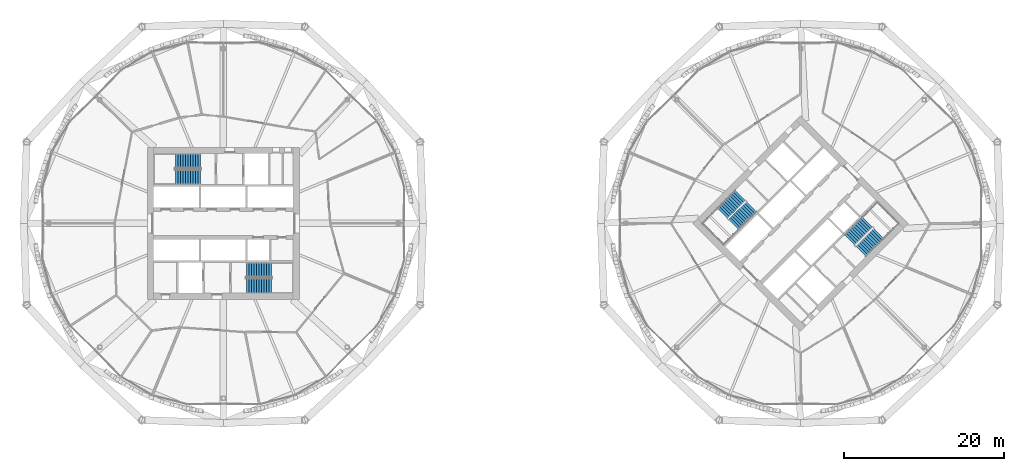
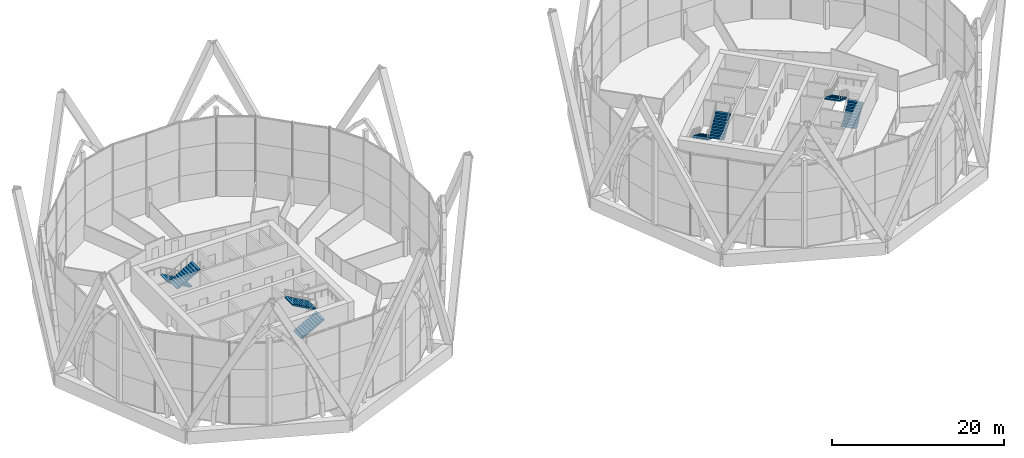
# One storey, part 32 of 37: 8 stair flights, 4 elements without a shape of their own.
"""IFC4 building model written with IfcOpenShell, lengths in metres."""

from ifc_helpers import new_model, si_unit, direction, frame, origin, place, context, subcontext, project, spatial, polyline, outline, extrude, material, type_object, element, aggregate, save


model = new_model("IFC4")

# Units and contexts
model_context = context("Model", 3, precision=1e-05, world=origin(), true_north=direction((0.0, 1.0)))
body_context = subcontext(model_context, "Body", "Model", "MODEL_VIEW")
ifc_project = project(units=[si_unit("LENGTHUNIT", "METRE"), si_unit("AREAUNIT", "SQUARE_METRE"), si_unit("VOLUMEUNIT", "CUBIC_METRE"), si_unit("PLANEANGLEUNIT", "RADIAN"), si_unit("MASSUNIT", "GRAM", prefix="KILO")], contexts=[model_context])

# Site, building, storey
site_placement = place(None, origin())
site = spatial("IfcSite", under=ifc_project, at=site_placement, CompositionType="ELEMENT")
building_placement = place(site_placement, origin())
building = spatial("IfcBuilding", under=site, at=building_placement, Name="Ogive Gate Towers", CompositionType="ELEMENT")
storey_placement = place(building_placement, frame((0.0, 0.0, 32.39990234375)))
storey = spatial("IfcBuildingStorey", under=building, at=storey_placement, Name="L06", CompositionType="ELEMENT", Elevation=32.39990234375)

# Stair, stair flights
ifc_material = material(Name="Concrete C40/50", Category="concrete")
stair_type = type_object("IfcStairType", Name="Escape stair 1840 wide", PredefinedType="HALF_TURN_STAIR", material=ifc_material)
stair_1_placement = place(storey_placement, origin())
stair_1 = element("IfcStair", 1, at=stair_1_placement, inside=storey, type_object=stair_type, Name="L06 Escape stair 1", PredefinedType="HALF_TURN_STAIR")
stair_flight_type = type_object("IfcStairFlightType", Name="Stair flight 1840 wide", PredefinedType="STRAIGHT", material=ifc_material)
stair_flight_1_placement = place(storey_placement, frame((-38.864990234375, 7.780029296875, 0.0), z_axis=(0.0, 0.0, 1.0), x_axis=(-1.0, 0.0, 0.0)))
stair_flight_1 = element("IfcStairFlight", 2, at=stair_flight_1_placement, type_object=stair_flight_type, Name="ST1 flight 1", NumberOfRisers=11, NumberOfTreads=10, PredefinedType="STRAIGHT", RiserHeight=0.177272727, TreadLength=0.313636364, context=body_context, shape_type="SweptSolid", body=[
    extrude(outline(polyline([(0.0, 0.0), (0.0, 0.17724609375), (0.313720703125, 0.17724609375), (0.313720703125, 0.3544921875), (0.627197265625, 0.3544921875), (0.627197265625, 0.53173828125), (0.94091796875, 0.53173828125), (0.94091796875, 0.708984375), (1.254638671875, 0.708984375), (1.254638671875, 0.886474609375), (1.568115234375, 0.886474609375), (1.568115234375, 1.063720703125), (1.8818359375, 1.063720703125), (1.8818359375, 1.240966796875), (2.195556640625, 1.240966796875), (2.195556640625, 1.418212890625), (2.509033203125, 1.418212890625), (2.509033203125, 1.595458984375), (2.82275390625, 1.595458984375), (2.82275390625, 1.772705078125), (3.136474609375, 1.772705078125), (3.136474609375, 1.949951171875), (3.136474609375, 1.6005859375), (0.3046875, 0.0), (0.0, 0.0)])), frame((0.0, 0.919921875, 0.0), z_axis=(0.0, -1.0, 0.0), x_axis=(1.0, 0.0, 0.0)), (0.0, 0.0, 1.0), 1.840087890625),
])
stair_flight_2_placement = place(storey_placement, frame((-42.00146484375, 5.794921875, 1.9501953125), z_axis=(0.0, 0.0, 1.0), x_axis=(1.0, 0.0, 0.0)))
stair_flight_2 = element("IfcStairFlight", 3, at=stair_flight_2_placement, type_object=stair_flight_type, Name="ST1 flight 2", NumberOfRisers=11, NumberOfTreads=10, PredefinedType="STRAIGHT", RiserHeight=0.177272727, TreadLength=0.313636364, context=body_context, shape_type="SweptSolid", body=[
    extrude(outline(polyline([(0.0, 0.0), (0.0, 0.17724609375), (0.313720703125, 0.17724609375), (0.313720703125, 0.3544921875), (0.627197265625, 0.3544921875), (0.627197265625, 0.53173828125), (0.94091796875, 0.53173828125), (0.94091796875, 0.708984375), (1.254638671875, 0.708984375), (1.254638671875, 0.886474609375), (1.568115234375, 0.886474609375), (1.568115234375, 1.063720703125), (1.8818359375, 1.063720703125), (1.8818359375, 1.240966796875), (2.195556640625, 1.240966796875), (2.195556640625, 1.418212890625), (2.509033203125, 1.418212890625), (2.509033203125, 1.595458984375), (2.82275390625, 1.595458984375), (2.82275390625, 1.772705078125), (3.136474609375, 1.772705078125), (3.136474609375, 1.949951171875), (3.136474609375, 1.6005859375), (0.3046875, 0.0), (0.0, 0.0)])), frame((0.0, 0.919921875, 0.0), z_axis=(0.0, -1.0, 0.0), x_axis=(1.0, 0.0, 0.0)), (0.0, 0.0, 1.0), 1.840087890625),
])
aggregate(stair_1, [stair_flight_1, stair_flight_2])

stair_2_placement = place(storey_placement, origin())
stair_2 = element("IfcStair", 4, at=stair_2_placement, inside=storey, type_object=stair_type, Name="L06 Escape stair 2", PredefinedType="HALF_TURN_STAIR")
stair_flight_3_placement = place(storey_placement, frame((-33.135009765625, -7.780029296875, 0.0), z_axis=(0.0, 0.0, 1.0), x_axis=(1.0, 0.0, 0.0)))
stair_flight_3 = element("IfcStairFlight", 5, at=stair_flight_3_placement, type_object=stair_flight_type, Name="ST2 flight 1", NumberOfRisers=11, NumberOfTreads=10, PredefinedType="STRAIGHT", RiserHeight=0.177272727, TreadLength=0.313636364, context=body_context, shape_type="SweptSolid", body=[
    extrude(outline(polyline([(0.0, 0.0), (0.0, 0.17724609375), (0.313720703125, 0.17724609375), (0.313720703125, 0.3544921875), (0.627197265625, 0.3544921875), (0.627197265625, 0.53173828125), (0.94091796875, 0.53173828125), (0.94091796875, 0.708984375), (1.254638671875, 0.708984375), (1.254638671875, 0.886474609375), (1.568115234375, 0.886474609375), (1.568115234375, 1.063720703125), (1.8818359375, 1.063720703125), (1.8818359375, 1.240966796875), (2.195556640625, 1.240966796875), (2.195556640625, 1.418212890625), (2.509033203125, 1.418212890625), (2.509033203125, 1.595458984375), (2.82275390625, 1.595458984375), (2.82275390625, 1.772705078125), (3.136474609375, 1.772705078125), (3.136474609375, 1.949951171875), (3.136474609375, 1.6005859375), (0.3046875, 0.0), (0.0, 0.0)])), frame((0.0, 0.919921875, 0.0), z_axis=(0.0, -1.0, 0.0), x_axis=(1.0, 0.0, 0.0)), (0.0, 0.0, 1.0), 1.840087890625),
])
stair_flight_4_placement = place(storey_placement, frame((-29.99853515625, -5.794921875, 1.9501953125), z_axis=(0.0, 0.0, 1.0), x_axis=(-1.0, 0.0, 0.0)))
stair_flight_4 = element("IfcStairFlight", 6, at=stair_flight_4_placement, type_object=stair_flight_type, Name="ST2 flight 2", NumberOfRisers=11, NumberOfTreads=10, PredefinedType="STRAIGHT", RiserHeight=0.177272727, TreadLength=0.313636364, context=body_context, shape_type="SweptSolid", body=[
    extrude(outline(polyline([(0.0, 0.0), (0.0, 0.17724609375), (0.313720703125, 0.17724609375), (0.313720703125, 0.3544921875), (0.627197265625, 0.3544921875), (0.627197265625, 0.53173828125), (0.94091796875, 0.53173828125), (0.94091796875, 0.708984375), (1.254638671875, 0.708984375), (1.254638671875, 0.886474609375), (1.568115234375, 0.886474609375), (1.568115234375, 1.063720703125), (1.8818359375, 1.063720703125), (1.8818359375, 1.240966796875), (2.195556640625, 1.240966796875), (2.195556640625, 1.418212890625), (2.509033203125, 1.418212890625), (2.509033203125, 1.595458984375), (2.82275390625, 1.595458984375), (2.82275390625, 1.772705078125), (3.136474609375, 1.772705078125), (3.136474609375, 1.949951171875), (3.136474609375, 1.6005859375), (0.3046875, 0.0), (0.0, 0.0)])), frame((0.0, 0.919921875, 0.0), z_axis=(0.0, -1.0, 0.0), x_axis=(1.0, 0.0, 0.0)), (0.0, 0.0, 1.0), 1.840087890625),
])
aggregate(stair_2, [stair_flight_3, stair_flight_4])

stair_3_placement = place(storey_placement, origin())
stair_3 = element("IfcStair", 7, at=stair_3_placement, inside=storey, type_object=stair_type, Name="L06 Escape stair 1", PredefinedType="HALF_TURN_STAIR")
stair_flight_5_placement = place(storey_placement, frame((28.472900390625, 3.475341796875, 0.0), z_axis=(0.0, 0.0, 1.0), x_axis=(-0.707106781187, -0.707106781187, 0.0)))
stair_flight_5 = element("IfcStairFlight", 8, at=stair_flight_5_placement, type_object=stair_flight_type, Name="ST1 flight 1", NumberOfRisers=11, NumberOfTreads=10, PredefinedType="STRAIGHT", RiserHeight=0.177272727, TreadLength=0.313636364, context=body_context, shape_type="SweptSolid", body=[
    extrude(outline(polyline([(0.0, 0.0), (0.0, 0.17724609375), (0.313720703125, 0.17724609375), (0.313720703125, 0.3544921875), (0.627197265625, 0.3544921875), (0.627197265625, 0.53173828125), (0.94091796875, 0.53173828125), (0.94091796875, 0.708984375), (1.254638671875, 0.708984375), (1.254638671875, 0.886474609375), (1.568115234375, 0.886474609375), (1.568115234375, 1.063720703125), (1.8818359375, 1.063720703125), (1.8818359375, 1.240966796875), (2.195556640625, 1.240966796875), (2.195556640625, 1.418212890625), (2.509033203125, 1.418212890625), (2.509033203125, 1.595458984375), (2.82275390625, 1.595458984375), (2.82275390625, 1.772705078125), (3.136474609375, 1.772705078125), (3.136474609375, 1.949951171875), (3.136474609375, 1.6005859375), (0.3046875, 0.0), (0.0, 0.0)])), frame((0.0, 0.919921875, 0.0), z_axis=(0.0, -1.0, 0.0), x_axis=(1.0, 0.0, 0.0)), (0.0, 0.0, 1.0), 1.840087890625),
])
stair_flight_6_placement = place(storey_placement, frame((27.65869140625, -0.14599609375, 1.9501953125), z_axis=(0.0, 0.0, 1.0), x_axis=(0.707106781187, 0.707106781187, 0.0)))
stair_flight_6 = element("IfcStairFlight", 9, at=stair_flight_6_placement, type_object=stair_flight_type, Name="ST1 flight 2", NumberOfRisers=11, NumberOfTreads=10, PredefinedType="STRAIGHT", RiserHeight=0.177272727, TreadLength=0.313636364, context=body_context, shape_type="SweptSolid", body=[
    extrude(outline(polyline([(0.0, 0.0), (0.0, 0.17724609375), (0.313720703125, 0.17724609375), (0.313720703125, 0.3544921875), (0.627197265625, 0.3544921875), (0.627197265625, 0.53173828125), (0.94091796875, 0.53173828125), (0.94091796875, 0.708984375), (1.254638671875, 0.708984375), (1.254638671875, 0.886474609375), (1.568115234375, 0.886474609375), (1.568115234375, 1.063720703125), (1.8818359375, 1.063720703125), (1.8818359375, 1.240966796875), (2.195556640625, 1.240966796875), (2.195556640625, 1.418212890625), (2.509033203125, 1.418212890625), (2.509033203125, 1.595458984375), (2.82275390625, 1.595458984375), (2.82275390625, 1.772705078125), (3.136474609375, 1.772705078125), (3.136474609375, 1.949951171875), (3.136474609375, 1.6005859375), (0.3046875, 0.0), (0.0, 0.0)])), frame((0.0, 0.919921875, 0.0), z_axis=(0.0, -1.0, 0.0), x_axis=(1.0, 0.0, 0.0)), (0.0, 0.0, 1.0), 1.840087890625),
])
aggregate(stair_3, [stair_flight_5, stair_flight_6])

stair_4_placement = place(storey_placement, origin())
stair_4 = element("IfcStair", 10, at=stair_4_placement, inside=storey, type_object=stair_type, Name="L06 Escape stair 2", PredefinedType="HALF_TURN_STAIR")
stair_flight_7_placement = place(storey_placement, frame((43.527099609375, -3.475341796875, 0.0), z_axis=(0.0, 0.0, 1.0), x_axis=(0.707106781187, 0.707106781187, 0.0)))
stair_flight_7 = element("IfcStairFlight", 11, at=stair_flight_7_placement, type_object=stair_flight_type, Name="ST2 flight 1", NumberOfRisers=11, NumberOfTreads=10, PredefinedType="STRAIGHT", RiserHeight=0.177272727, TreadLength=0.313636364, context=body_context, shape_type="SweptSolid", body=[
    extrude(outline(polyline([(0.0, 0.0), (0.0, 0.17724609375), (0.313720703125, 0.17724609375), (0.313720703125, 0.3544921875), (0.627197265625, 0.3544921875), (0.627197265625, 0.53173828125), (0.94091796875, 0.53173828125), (0.94091796875, 0.708984375), (1.254638671875, 0.708984375), (1.254638671875, 0.886474609375), (1.568115234375, 0.886474609375), (1.568115234375, 1.063720703125), (1.8818359375, 1.063720703125), (1.8818359375, 1.240966796875), (2.195556640625, 1.240966796875), (2.195556640625, 1.418212890625), (2.509033203125, 1.418212890625), (2.509033203125, 1.595458984375), (2.82275390625, 1.595458984375), (2.82275390625, 1.772705078125), (3.136474609375, 1.772705078125), (3.136474609375, 1.949951171875), (3.136474609375, 1.6005859375), (0.3046875, 0.0), (0.0, 0.0)])), frame((0.0, 0.919921875, 0.0), z_axis=(0.0, -1.0, 0.0), x_axis=(1.0, 0.0, 0.0)), (0.0, 0.0, 1.0), 1.840087890625),
])
stair_flight_8_placement = place(storey_placement, frame((44.34130859375, 0.14599609375, 1.9501953125), z_axis=(0.0, 0.0, 1.0), x_axis=(-0.707106781187, -0.707106781187, 0.0)))
stair_flight_8 = element("IfcStairFlight", 12, at=stair_flight_8_placement, type_object=stair_flight_type, Name="ST2 flight 2", NumberOfRisers=11, NumberOfTreads=10, PredefinedType="STRAIGHT", RiserHeight=0.177272727, TreadLength=0.313636364, context=body_context, shape_type="SweptSolid", body=[
    extrude(outline(polyline([(0.0, 0.0), (0.0, 0.17724609375), (0.313720703125, 0.17724609375), (0.313720703125, 0.3544921875), (0.627197265625, 0.3544921875), (0.627197265625, 0.53173828125), (0.94091796875, 0.53173828125), (0.94091796875, 0.708984375), (1.254638671875, 0.708984375), (1.254638671875, 0.886474609375), (1.568115234375, 0.886474609375), (1.568115234375, 1.063720703125), (1.8818359375, 1.063720703125), (1.8818359375, 1.240966796875), (2.195556640625, 1.240966796875), (2.195556640625, 1.418212890625), (2.509033203125, 1.418212890625), (2.509033203125, 1.595458984375), (2.82275390625, 1.595458984375), (2.82275390625, 1.772705078125), (3.136474609375, 1.772705078125), (3.136474609375, 1.949951171875), (3.136474609375, 1.6005859375), (0.3046875, 0.0), (0.0, 0.0)])), frame((0.0, 0.919921875, 0.0), z_axis=(0.0, -1.0, 0.0), x_axis=(1.0, 0.0, 0.0)), (0.0, 0.0, 1.0), 1.840087890625),
])
aggregate(stair_4, [stair_flight_7, stair_flight_8])

save(model, "model.ifc")
